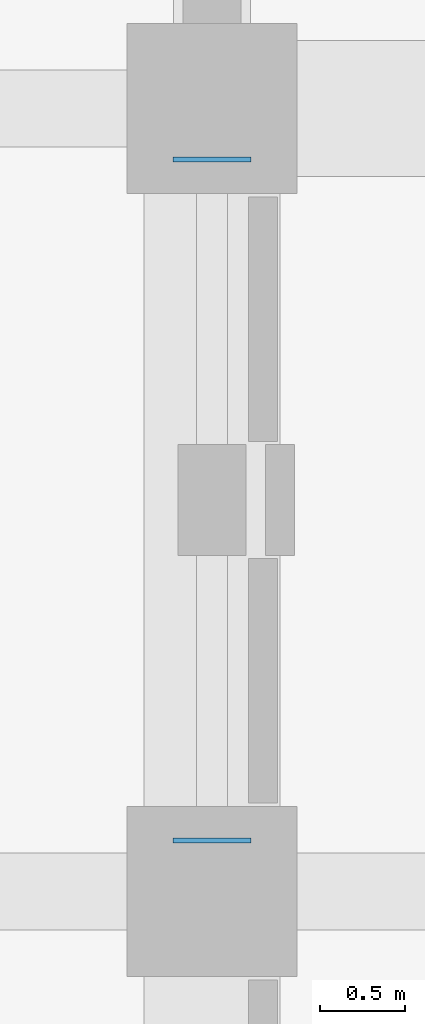
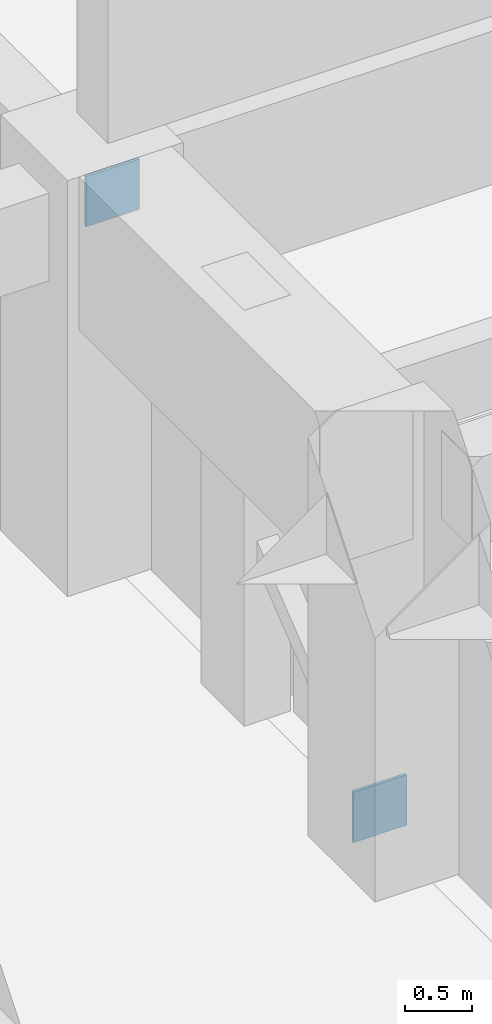
# One storey, part 50 of 74: 2 plates.
"""IFC4 building model written with IfcOpenShell, lengths in metres."""

from ifc_helpers import new_model, si_unit, direction, frame, origin, origin_2d, place, context, subcontext, project, spatial, rectangle, extrude, material, layer, layer_set, type_object, element, save


model = new_model("IFC4")

# Units and contexts
model_context = context("Model", 3, precision=1e-05, world=origin(), true_north=direction((0.0, 1.0)))
body_context = subcontext(model_context, "Body", "Model", "MODEL_VIEW")
ifc_project = project(units=[si_unit("LENGTHUNIT", "METRE"), si_unit("AREAUNIT", "SQUARE_METRE"), si_unit("VOLUMEUNIT", "CUBIC_METRE"), si_unit("PLANEANGLEUNIT", "RADIAN"), si_unit("MASSUNIT", "GRAM", prefix="KILO")], contexts=[model_context])

# Site, building, storey
site_placement = place(None, origin())
site = spatial("IfcSite", under=ifc_project, at=site_placement, CompositionType="ELEMENT")
building_placement = place(site_placement, origin())
building = spatial("IfcBuilding", under=site, at=building_placement, Name="Muzn Square Opera House", CompositionType="ELEMENT")
storey_placement = place(building_placement, frame((0.0, 0.0, 14.199951171875)))
storey = spatial("IfcBuildingStorey", under=building, at=storey_placement, Name="L03", CompositionType="ELEMENT", Elevation=14.199951171875)

# Plates
ifc_material = material(Name="Steel S355", Category="steel")
ifc_layer = layer(ifc_material, 0.028076171875, Name="Steel S355", Category="steel")
ifc_layer_set = layer_set([ifc_layer], Name="Steel S355")
plate_type = type_object("IfcPlateType", Name="Gusset Plate 28mm 460x460", PredefinedType="USERDEFINED", material=ifc_layer_set)
for number, where, z_axis, x_axis, name in (
    (1, (43.0, 68.300048828125, -0.030029296875), (0.0, 0.0, 1.0), (1.0, 0.0, 0.0), "Lateral Brace End Cap Plate SBRC-13-A"),
    (2, (43.0, 72.300048828125, 3.170166015625), (0.0, 0.0, 1.0), (1.0, 0.0, 0.0), "Lateral Brace End Cap Plate SBRC-13-B"),
):
    element("IfcPlate", number, at=place(storey_placement, frame(where, z_axis=z_axis, x_axis=x_axis)), inside=storey, type_object=plate_type, Name=name, ObjectType="GUSSET PLATE", PredefinedType="USERDEFINED", context=body_context, shape_type="SweptSolid", body=[
        extrude(rectangle(XDim=0.4599609375, YDim=0.028076171875, at=origin_2d()), origin(), (0.0, 0.0, 1.0), 0.4599609375),
    ])

save(model, "model.ifc")
